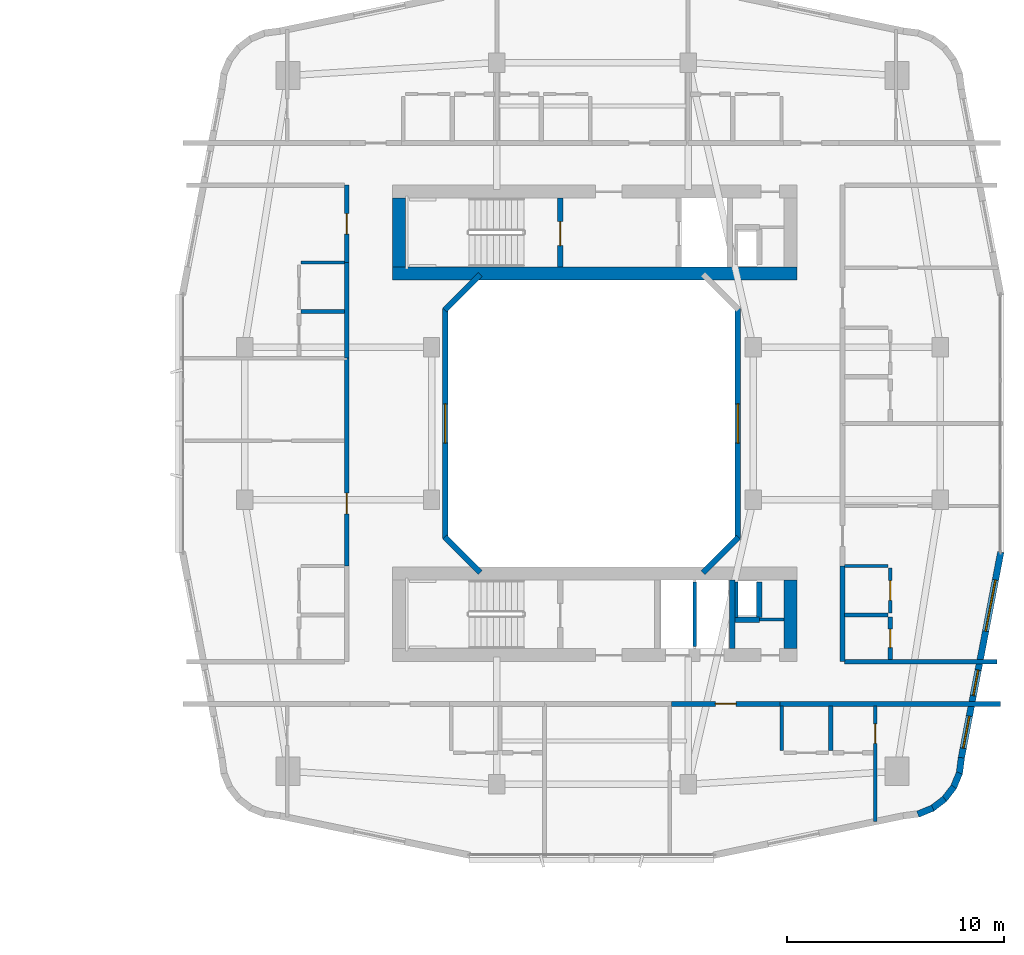
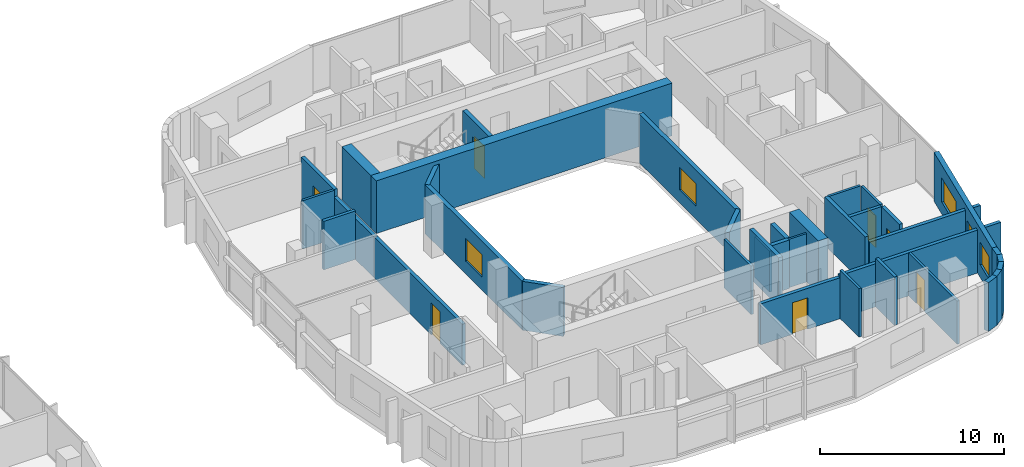
# One storey, part 19 of 27: 37 walls, 7 doors, 5 windows, 12 openings.
"""IFC4 building model written with IfcOpenShell, lengths in metres."""

from ifc_helpers import new_model, si_unit, derived_unit, direction, frame, frame_2d, origin, place, context, subcontext, project, spatial, rectangle, extrude, material, layer, layer_set, type_object, element, fill, save


model = new_model("IFC4")

# Units and contexts
model_context = context("Model", 3, precision=1e-05, world=origin(), true_north=direction((0.0, 1.0)))
body_context = subcontext(model_context, "Body", "Model", "MODEL_VIEW")
ifc_project = project(units=[si_unit("LENGTHUNIT", "METRE"), si_unit("AREAUNIT", "SQUARE_METRE"), si_unit("VOLUMEUNIT", "CUBIC_METRE"), si_unit("PLANEANGLEUNIT", "RADIAN"), si_unit("MASSUNIT", "GRAM", prefix="KILO"), derived_unit("THERMALTRANSMITTANCEUNIT", [(si_unit("POWERUNIT", "WATT"), 1), (si_unit("LENGTHUNIT", "METRE"), -2), (si_unit("THERMODYNAMICTEMPERATUREUNIT", "KELVIN"), -1)])], contexts=[model_context])

# Site, building, storey
site_placement = place(None, origin())
site = spatial("IfcSite", under=ifc_project, at=site_placement, CompositionType="ELEMENT")
building_placement = place(site_placement, origin())
building = spatial("IfcBuilding", under=site, at=building_placement, Name="Kivonza Crest Hotel", CompositionType="ELEMENT")
storey_placement = place(building_placement, frame((0.0, 0.0, 31.0)))
storey = spatial("IfcBuildingStorey", under=building, at=storey_placement, Name="L07", CompositionType="ELEMENT", Elevation=31.0)

# Wall
ifc_material_1 = material(Name="Autoclaved aerated concrete blockwork", Category="masonry")
ifc_layer_1 = layer(ifc_material_1, 0.219970703125)
ifc_layer_set_1 = layer_set([ifc_layer_1], Name="Autoclaved aerated concrete blockwork")
wall_type_1 = type_object("IfcWallType", Name="WL-ACOU-220", PredefinedType="SOLIDWALL", material=ifc_layer_set_1)
wall_1_placement = place(storey_placement, frame((85.6298828125, 12.10009765625, 0.0), z_axis=(0.0, 0.0, 1.0), x_axis=(1.0, 0.0, 0.0)))
element("IfcWall", 1, at=wall_1_placement, inside=storey, type_object=wall_type_1, Name="L07 interior partition WA-L07-A05-RCORR", PredefinedType="SOLIDWALL", context=body_context, shape_type="SweptSolid", body=[
    extrude(rectangle(XDim=10.130126953125, YDim=0.219970703125, at=frame_2d((5.06494140625, 0.0))), origin(), (0.0, 0.0, 1.0), 2.864990234375),
])

# Wall, opening, door
wall_2_placement = place(storey_placement, frame((80.6298828125, 12.10009765625, 0.0), z_axis=(0.0, 0.0, 1.0), x_axis=(1.0, 0.0, 0.0)))
wall_2 = element("IfcWall", 2, at=wall_2_placement, inside=storey, type_object=wall_type_1, Name="L07 interior partition WA-L07-A05-MCORR", PredefinedType="SOLIDWALL", context=body_context, shape_type="SweptSolid", body=[
    extrude(rectangle(XDim=5.0, YDim=0.219970703125, at=frame_2d((2.5, 0.0))), origin(), (0.0, 0.0, 1.0), 2.72509765625),
])
opening_1_placement = place(wall_2_placement, frame((2.02490234375, 0.0, 0.0)))
opening_1 = element("IfcOpeningElement", 3, at=opening_1_placement, cuts=wall_2, Name="Opening DU-60", PredefinedType="OPENING", context=body_context, shape_type="SweptSolid", body=[
    extrude(rectangle(XDim=0.949951171875, YDim=2.10009765625, at=frame_2d((0.47509765625, 1.050048828125))), frame((0.0, 0.1201171875, 0.0), z_axis=(0.0, -1.0, 0.0), x_axis=(1.0, 0.0, 0.0)), (0.0, 0.0, 1.0), 0.239990234375),
])
ifc_material_2 = material(Name="Hardwood timber oak", Category="wood")
door_type_1 = type_object("IfcDoorType", Name="DR-UNIT-950", OperationType="NOTDEFINED", PredefinedType="DOOR", material=ifc_material_2)
door_1_placement = place(opening_1_placement, frame((0.949951171875, 0.0, 0.0), z_axis=(0.0, 0.0, 1.0), x_axis=(-1.0, 0.0, 0.0)))
door_1 = element("IfcDoor", 4, at=door_1_placement, inside=storey, type_object=door_type_1, Name="L07 A05 apartment entrance fire door", OperationType="SINGLE_SWING_LEFT", OverallHeight=2.10009765625, OverallWidth=0.949951171875, PredefinedType="DOOR", context=body_context, shape_type="SweptSolid", body=[
    extrude(rectangle(XDim=0.949951171875, YDim=2.10009765625, at=frame_2d((0.47509765625, 1.050048828125))), frame((0.0, 0.02490234375, 0.0), z_axis=(0.0, -1.0, 0.0), x_axis=(1.0, 0.0, 0.0)), (0.0, 0.0, 1.0), 0.050048828125),
])
fill(opening_1, door_1)

wall_3_placement = place(storey_placement, frame((65.699951171875, 18.43994140625, 0.0), z_axis=(0.0, 0.0, 1.0), x_axis=(0.0, 1.0, 0.0)))
wall_3 = element("IfcWall", 5, at=wall_3_placement, inside=storey, type_object=wall_type_1, Name="L07 interior partition WA-L07-A06-MCORR", PredefinedType="SOLIDWALL", context=body_context, shape_type="SweptSolid", body=[
    extrude(rectangle(XDim=9.56005859375, YDim=0.219970703125, at=frame_2d((4.780029296875, 0.0))), origin(), (0.0, 0.0, 1.0), 2.72509765625),
])
opening_2_placement = place(wall_3_placement, frame((2.405029296875, 0.0, 0.0)))
opening_2 = element("IfcOpeningElement", 6, at=opening_2_placement, cuts=wall_3, Name="Opening DU-60", PredefinedType="OPENING", context=body_context, shape_type="SweptSolid", body=[
    extrude(rectangle(XDim=0.949951171875, YDim=2.10009765625, at=frame_2d((0.47509765625, 1.050048828125))), frame((0.0, 0.1201171875, 0.0), z_axis=(0.0, -1.0, 0.0), x_axis=(1.0, 0.0, 0.0)), (0.0, 0.0, 1.0), 0.239990234375),
])
door_2_placement = place(opening_2_placement, origin())
door_2 = element("IfcDoor", 7, at=door_2_placement, inside=storey, type_object=door_type_1, Name="L07 A06 apartment entrance fire door", OperationType="SINGLE_SWING_RIGHT", OverallHeight=2.10009765625, OverallWidth=0.949951171875, PredefinedType="DOOR", context=body_context, shape_type="SweptSolid", body=[
    extrude(rectangle(XDim=0.949951171875, YDim=2.10009765625, at=frame_2d((0.47509765625, 1.050048828125))), frame((0.0, 0.02490234375, 0.0), z_axis=(0.0, -1.0, 0.0), x_axis=(1.0, 0.0, 0.0)), (0.0, 0.0, 1.0), 0.050048828125),
])
fill(opening_2, door_2)

# Wall
wall_4_placement = place(storey_placement, frame((65.699951171875, 28.0, 0.0), z_axis=(0.0, 0.0, 1.0), x_axis=(0.0, 1.0, 0.0)))
element("IfcWall", 8, at=wall_4_placement, inside=storey, type_object=wall_type_1, Name="L07 interior partition WA-L07-A07-BCORR", PredefinedType="SOLIDWALL", context=body_context, shape_type="SweptSolid", body=[
    extrude(rectangle(XDim=4.39990234375, YDim=0.219970703125, at=frame_2d((2.199951171875, 0.0))), origin(), (0.0, 0.0, 1.0), 2.72509765625),
])

# Wall, opening, door
wall_5_placement = place(storey_placement, frame((65.699951171875, 32.39990234375, 0.0), z_axis=(0.0, 0.0, 1.0), x_axis=(0.0, 1.0, 0.0)))
wall_5 = element("IfcWall", 9, at=wall_5_placement, inside=storey, type_object=wall_type_1, Name="L07 interior partition WA-L07-A07-MCORR", PredefinedType="SOLIDWALL", context=body_context, shape_type="SweptSolid", body=[
    extrude(rectangle(XDim=3.56005859375, YDim=0.219970703125, at=frame_2d((1.780029296875, 0.0))), origin(), (0.0, 0.0, 1.0), 3.219970703125),
])
opening_3_placement = place(wall_5_placement, frame((1.304931640625, 0.0, 0.0)))
opening_3 = element("IfcOpeningElement", 10, at=opening_3_placement, cuts=wall_5, Name="Opening DU-60", PredefinedType="OPENING", context=body_context, shape_type="SweptSolid", body=[
    extrude(rectangle(XDim=0.949951171875, YDim=2.10009765625, at=frame_2d((0.47509765625, 1.050048828125))), frame((0.0, 0.1201171875, 0.0), z_axis=(0.0, -1.0, 0.0), x_axis=(1.0, 0.0, 0.0)), (0.0, 0.0, 1.0), 0.239990234375),
])
door_3_placement = place(opening_3_placement, origin())
door_3 = element("IfcDoor", 11, at=door_3_placement, inside=storey, type_object=door_type_1, Name="L07 A07 apartment entrance fire door", OperationType="SINGLE_SWING_LEFT", OverallHeight=2.10009765625, OverallWidth=0.949951171875, PredefinedType="DOOR", context=body_context, shape_type="SweptSolid", body=[
    extrude(rectangle(XDim=0.949951171875, YDim=2.10009765625, at=frame_2d((0.47509765625, 1.050048828125))), frame((0.0, 0.02490234375, 0.0), z_axis=(0.0, -1.0, 0.0), x_axis=(1.0, 0.0, 0.0)), (0.0, 0.0, 1.0), 0.050048828125),
])
fill(opening_3, door_3)

# Walls
wall_6_placement = place(storey_placement, frame((88.60009765625, 14.0400390625, 0.0), z_axis=(0.0, 0.0, 1.0), x_axis=(1.0, 0.0, 0.0)))
element("IfcWall", 12, at=wall_6_placement, inside=storey, type_object=wall_type_1, Name="L07 interior partition WA-L07-T2E-ENDS", PredefinedType="SOLIDWALL", context=body_context, shape_type="SweptSolid", body=[
    extrude(rectangle(XDim=7.0, YDim=0.219970703125, at=frame_2d((3.5, 0.0))), origin(), (0.0, 0.0, 1.0), 2.864990234375),
])
wall_7_placement = place(storey_placement, frame((88.5, 14.0400390625, 0.0), z_axis=(0.0, 0.0, 1.0), x_axis=(0.0, 1.0, 0.0)))
element("IfcWall", 13, at=wall_7_placement, inside=storey, type_object=wall_type_1, Name="L07 interior partition WA-L07-A08-BCORR", PredefinedType="SOLIDWALL", context=body_context, shape_type="SweptSolid", body=[
    extrude(rectangle(XDim=4.39990234375, YDim=0.219970703125, at=frame_2d((2.199951171875, 0.0))), origin(), (0.0, 0.0, 1.0), 3.219970703125),
])
ifc_material_3 = material(Name="Concrete C60/75", Category="concrete")
ifc_layer_2 = layer(ifc_material_3, 0.60009765625)
ifc_layer_set_2 = layer_set([ifc_layer_2], Name="Concrete C60/75")
wall_type_2 = type_object("IfcWallType", Name="WL-CORE-600", PredefinedType="SHEAR", material=ifc_layer_set_2)
wall_8_placement = place(storey_placement, frame((67.800048828125, 31.89990234375, 0.0), z_axis=(0.0, 0.0, 1.0), x_axis=(1.0, 0.0, 0.0)))
element("IfcWall", 14, at=wall_8_placement, inside=storey, type_object=wall_type_2, Name="Core wall T2-N South L07", PredefinedType="SHEAR", context=body_context, shape_type="SweptSolid", body=[
    extrude(rectangle(XDim=18.599853515625, YDim=0.60009765625, at=frame_2d((9.2998046875, 0.0))), origin(), (0.0, 0.0, 1.0), 3.5),
])
for number, where, z_axis, x_axis, name in (
    (15, (68.10009765625, 32.199951171875, 0.0), (0.0, 0.0, 1.0), (0.0, 1.0, 0.0), "Core wall T2-N West L07"),
    (16, (86.10009765625, 14.639892578125, 0.0), (0.0, 0.0, 1.0), (0.0, 1.0, 0.0), "Core wall T2-S East L07"),
):
    element("IfcWall", number, at=place(storey_placement, frame(where, z_axis=z_axis, x_axis=x_axis)), inside=storey, type_object=wall_type_2, Name=name, PredefinedType="SHEAR", context=body_context, shape_type="SweptSolid", body=[
        extrude(rectangle(XDim=3.16015625, YDim=0.60009765625, at=frame_2d((1.580078125, 0.0))), origin(), (0.0, 0.0, 1.0), 3.5),
    ])
ifc_material_4 = material(Name="Precast concrete C40/50", Category="concrete")
ifc_layer_3 = layer(ifc_material_4, 0.260009765625)
ifc_layer_set_3 = layer_set([ifc_layer_3], Name="Precast concrete C40/50")
wall_type_3 = type_object("IfcWallType", Name="WL-EXT-260", PredefinedType="STANDARD", material=ifc_layer_set_3)
wall_9_placement = place(storey_placement, frame((82.08203125, 18.137939453125, 0.0), z_axis=(0.0, 0.0, 1.0), x_axis=(0.707106781187, 0.707106781187, 0.0)))
element("IfcWall", 17, at=wall_9_placement, inside=storey, type_object=wall_type_3, Name="L07 T2 light-well exterior wall 2", PredefinedType="STANDARD", context=body_context, shape_type="SweptSolid", body=[
    extrude(rectangle(XDim=2.310791015625, YDim=0.260009765625, at=frame_2d((1.1552734375, 0.0))), origin(), (0.0, 0.0, 1.0), 3.25),
])

# Wall, opening, window
wall_10_placement = place(storey_placement, frame((83.68994140625, 19.7099609375, 0.0), z_axis=(0.0, 0.0, 1.0), x_axis=(0.0, 1.0, 0.0)))
wall_10 = element("IfcWall", 18, at=wall_10_placement, inside=storey, type_object=wall_type_3, Name="L07 T2 light-well exterior wall 3", PredefinedType="STANDARD", context=body_context, shape_type="SweptSolid", body=[
    extrude(rectangle(XDim=10.580078125, YDim=0.260009765625, at=frame_2d((5.2900390625, 0.0))), origin(), (0.0, 0.0, 1.0), 3.25),
])
opening_4_placement = place(wall_10_placement, frame((4.389892578125, 0.0, 0.85009765625)))
opening_4 = element("IfcOpeningElement", 19, at=opening_4_placement, cuts=wall_10, Name="Opening WN-03", PredefinedType="OPENING", context=body_context, shape_type="SweptSolid", body=[
    extrude(rectangle(XDim=1.800048828125, YDim=1.5, at=frame_2d((0.89990234375, 0.75))), frame((0.0, 0.14013671875, 0.0), z_axis=(0.0, -1.0, 0.0), x_axis=(1.0, 0.0, 0.0)), (0.0, 0.0, 1.0), 0.280029296875),
])
ifc_material_5 = material(Name="Thermally broken bronze aluminium and low-E double glazing", Category="aluminium")
window_type_1 = type_object("IfcWindowType", Name="WN-180x150", PartitioningType="DOUBLE_PANEL_VERTICAL", PredefinedType="WINDOW", material=ifc_material_5)
window_1_placement = place(opening_4_placement, origin())
window_1 = element("IfcWindow", 20, at=window_1_placement, inside=storey, type_object=window_type_1, Name="L07 T2 light-well window 3", OverallHeight=1.5, OverallWidth=1.800048828125, PartitioningType="SINGLE_PANEL", PredefinedType="WINDOW", context=body_context, shape_type="SweptSolid", body=[
    extrude(rectangle(XDim=1.800048828125, YDim=1.5, at=frame_2d((0.89990234375, 0.75))), frame((0.0, 0.030029296875, 0.0), z_axis=(0.0, -1.0, 0.0), x_axis=(1.0, 0.0, 0.0)), (0.0, 0.0, 1.0), 0.06005859375),
])
fill(opening_4, window_1)

# Wall
wall_11_placement = place(storey_placement, frame((71.837890625, 31.862060546875, 0.0), z_axis=(0.0, 0.0, 1.0), x_axis=(-0.707053950914, -0.707159607512, 0.0)))
element("IfcWall", 21, at=wall_11_placement, inside=storey, type_object=wall_type_3, Name="L07 T2 light-well exterior wall 6", PredefinedType="STANDARD", context=body_context, shape_type="SweptSolid", body=[
    extrude(rectangle(XDim=2.310791015625, YDim=0.260009765625, at=frame_2d((1.1552734375, 0.0))), origin(), (0.0, 0.0, 1.0), 3.25),
])

# Wall, opening, window
wall_12_placement = place(storey_placement, frame((70.22998046875, 30.2900390625, 0.0), z_axis=(0.0, 0.0, 1.0), x_axis=(0.0, -1.0, 0.0)))
wall_12 = element("IfcWall", 22, at=wall_12_placement, inside=storey, type_object=wall_type_3, Name="L07 T2 light-well exterior wall 7", PredefinedType="STANDARD", context=body_context, shape_type="SweptSolid", body=[
    extrude(rectangle(XDim=10.580078125, YDim=0.260009765625, at=frame_2d((5.2900390625, 0.0))), origin(), (0.0, 0.0, 1.0), 3.25),
])
opening_5_placement = place(wall_12_placement, frame((4.389892578125, 0.0, 0.85009765625)))
opening_5 = element("IfcOpeningElement", 23, at=opening_5_placement, cuts=wall_12, Name="Opening WN-03", PredefinedType="OPENING", context=body_context, shape_type="SweptSolid", body=[
    extrude(rectangle(XDim=1.800048828125, YDim=1.5, at=frame_2d((0.89990234375, 0.75))), frame((0.0, 0.14013671875, 0.0), z_axis=(0.0, -1.0, 0.0), x_axis=(1.0, 0.0, 0.0)), (0.0, 0.0, 1.0), 0.280029296875),
])
window_2_placement = place(opening_5_placement, origin())
window_2 = element("IfcWindow", 24, at=window_2_placement, inside=storey, type_object=window_type_1, Name="L07 T2 light-well window 7", OverallHeight=1.5, OverallWidth=1.800048828125, PartitioningType="SINGLE_PANEL", PredefinedType="WINDOW", context=body_context, shape_type="SweptSolid", body=[
    extrude(rectangle(XDim=1.800048828125, YDim=1.5, at=frame_2d((0.89990234375, 0.75))), frame((0.0, 0.030029296875, 0.0), z_axis=(0.0, -1.0, 0.0), x_axis=(1.0, 0.0, 0.0)), (0.0, 0.0, 1.0), 0.06005859375),
])
fill(opening_5, window_2)

# Walls
wall_13_placement = place(storey_placement, frame((70.2041015625, 19.77197265625, 0.0), z_axis=(0.0, 0.0, 1.0), x_axis=(0.707053950914, -0.707159607512, 0.0)))
element("IfcWall", 25, at=wall_13_placement, inside=storey, type_object=wall_type_3, Name="L07 T2 light-well exterior wall 8", PredefinedType="STANDARD", context=body_context, shape_type="SweptSolid", body=[
    extrude(rectangle(XDim=2.310791015625, YDim=0.260009765625, at=frame_2d((1.1552734375, 0.0))), origin(), (0.0, 0.0, 1.0), 3.25),
])
ifc_layer_4 = layer(ifc_material_4, 0.300048828125)
ifc_layer_set_4 = layer_set([ifc_layer_4], Name="Precast concrete C40/50")
wall_type_4 = type_object("IfcWallType", Name="WL-EXT-300", PredefinedType="STANDARD", material=ifc_layer_set_4)
for number, where, z_axis, x_axis, name in (
    (26, (91.965087890625, 7.02392578125, 0.0), (0.0, 0.0, 1.0), (0.923521684703, 0.383546213491, 0.0), "L07 T2 exterior insulated wall 11"),
    (27, (92.60888671875, 7.279052734375, 0.0), (0.0, 0.0, 1.0), (0.79363269798, 0.608397189915, 0.0), "L07 T2 exterior insulated wall 12"),
    (28, (93.166015625, 7.69091796875, 0.0), (0.0, 0.0, 1.0), (0.608603261071, 0.793474681772, 0.0), "L07 T2 exterior insulated wall 13"),
):
    element("IfcWall", number, at=place(storey_placement, frame(where, z_axis=z_axis, x_axis=x_axis)), inside=storey, type_object=wall_type_4, Name=name, PredefinedType="STANDARD", context=body_context, shape_type="SweptSolid", body=[
        extrude(rectangle(XDim=0.74609375, YDim=0.300048828125, at=frame_2d((0.373046875, 0.0))), origin(), (0.0, 0.0, 1.0), 3.25),
    ])
wall_14_placement = place(storey_placement, frame((93.595947265625, 8.23388671875, 0.0), z_axis=(0.0, 0.0, 1.0), x_axis=(0.383430326427, 0.923569805037, 0.0)))
element("IfcWall", 29, at=wall_14_placement, inside=storey, type_object=wall_type_4, Name="L07 T2 exterior insulated wall 14", PredefinedType="STANDARD", context=body_context, shape_type="SweptSolid", body=[
    extrude(rectangle(XDim=0.746337890625, YDim=0.300048828125, at=frame_2d((0.373046875, 0.0))), origin(), (0.0, 0.0, 1.0), 3.25),
])
wall_15_placement = place(storey_placement, frame((93.873046875, 8.868896484375, 0.0), z_axis=(0.0, 0.0, 1.0), x_axis=(0.129339184068, 0.991600411186, 0.0)))
element("IfcWall", 30, at=wall_15_placement, inside=storey, type_object=wall_type_4, Name="L07 T2 exterior insulated wall 15", PredefinedType="STANDARD", context=body_context, shape_type="SweptSolid", body=[
    extrude(rectangle(XDim=0.764404296875, YDim=0.300048828125, at=frame_2d((0.38232421875, 0.0))), origin(), (0.0, 0.0, 1.0), 3.25),
])

# Wall, openings, windows
wall_16_placement = place(storey_placement, frame((93.970947265625, 9.6201171875, 0.0), z_axis=(0.0, 0.0, 1.0), x_axis=(0.188087874316, 0.982152203854, 0.0)))
wall_16 = element("IfcWall", 31, at=wall_16_placement, inside=storey, type_object=wall_type_4, Name="L07 T2 exterior insulated wall 16", PredefinedType="STANDARD", context=body_context, shape_type="SweptSolid", body=[
    extrude(rectangle(XDim=9.6337890625, YDim=0.300048828125, at=frame_2d((4.81689453125, 0.0))), origin(), (0.0, 0.0, 1.0), 3.25),
])
opening_6_placement = place(wall_16_placement, frame((0.451904296875, 0.0, 0.85009765625)))
opening_6 = element("IfcOpeningElement", 32, at=opening_6_placement, cuts=wall_16, Name="Opening WN-02", PredefinedType="OPENING", context=body_context, shape_type="SweptSolid", body=[
    extrude(rectangle(XDim=1.5, YDim=1.5, at=frame_2d((0.75, 0.75))), frame((0.0, 0.16015625, 0.0), z_axis=(0.0, -1.0, 0.0), x_axis=(1.0, 0.0, 0.0)), (0.0, 0.0, 1.0), 0.320068359375),
])
opening_7_placement = place(wall_16_placement, frame((2.9130859375, 0.0, 0.85009765625)))
opening_7 = element("IfcOpeningElement", 33, at=opening_7_placement, cuts=wall_16, Name="Opening WN-01", PredefinedType="OPENING", context=body_context, shape_type="SweptSolid", body=[
    extrude(rectangle(XDim=1.199951171875, YDim=1.5, at=frame_2d((0.60009765625, 0.75))), frame((0.0, 0.16015625, 0.0), z_axis=(0.0, -1.0, 0.0), x_axis=(1.0, 0.0, 0.0)), (0.0, 0.0, 1.0), 0.320068359375),
])
opening_8_placement = place(wall_16_placement, frame((5.927978515625, 0.0, 0.800048828125)))
opening_8 = element("IfcOpeningElement", 34, at=opening_8_placement, cuts=wall_16, Name="Opening WN-05", PredefinedType="OPENING", context=body_context, shape_type="SweptSolid", body=[
    extrude(rectangle(XDim=2.39990234375, YDim=1.60009765625, at=frame_2d((1.199951171875, 0.800048828125))), frame((0.0, 0.16015625, 0.0), z_axis=(0.0, -1.0, 0.0), x_axis=(1.0, 0.0, 0.0)), (0.0, 0.0, 1.0), 0.320068359375),
])
window_type_2 = type_object("IfcWindowType", Name="WN-120x150", PartitioningType="SINGLE_PANEL", PredefinedType="WINDOW", material=ifc_material_5)
window_3_placement = place(opening_7_placement, origin())
window_3 = element("IfcWindow", 35, at=window_3_placement, inside=storey, type_object=window_type_2, Name="L07 T2 facade window 16 bay 2", OverallHeight=1.5, OverallWidth=1.199951171875, PartitioningType="SINGLE_PANEL", PredefinedType="WINDOW", context=body_context, shape_type="SweptSolid", body=[
    extrude(rectangle(XDim=1.199951171875, YDim=1.5, at=frame_2d((0.60009765625, 0.75))), frame((0.0, 0.030029296875, 0.0), z_axis=(0.0, -1.0, 0.0), x_axis=(1.0, 0.0, 0.0)), (0.0, 0.0, 1.0), 0.06005859375),
])
fill(opening_7, window_3)
window_type_3 = type_object("IfcWindowType", Name="WN-150x150", PartitioningType="DOUBLE_PANEL_VERTICAL", PredefinedType="WINDOW", material=ifc_material_5)
window_4_placement = place(opening_6_placement, origin())
window_4 = element("IfcWindow", 36, at=window_4_placement, inside=storey, type_object=window_type_3, Name="L07 T2 facade window 16 bay 1", OverallHeight=1.5, OverallWidth=1.5, PartitioningType="SINGLE_PANEL", PredefinedType="WINDOW", context=body_context, shape_type="SweptSolid", body=[
    extrude(rectangle(XDim=1.5, YDim=1.5, at=frame_2d((0.75, 0.75))), frame((0.0, 0.030029296875, 0.0), z_axis=(0.0, -1.0, 0.0), x_axis=(1.0, 0.0, 0.0)), (0.0, 0.0, 1.0), 0.06005859375),
])
fill(opening_6, window_4)
window_type_4 = type_object("IfcWindowType", Name="WN-240x160", PartitioningType="TRIPLE_PANEL_VERTICAL", PredefinedType="WINDOW", material=ifc_material_5)
window_5_placement = place(opening_8_placement, origin())
window_5 = element("IfcWindow", 37, at=window_5_placement, inside=storey, type_object=window_type_4, Name="L07 T2 facade window 16 bay 3", OverallHeight=1.60009765625, OverallWidth=2.39990234375, PartitioningType="SINGLE_PANEL", PredefinedType="WINDOW", context=body_context, shape_type="SweptSolid", body=[
    extrude(rectangle(XDim=2.39990234375, YDim=1.60009765625, at=frame_2d((1.199951171875, 0.800048828125))), frame((0.0, 0.030029296875, 0.0), z_axis=(0.0, -1.0, 0.0), x_axis=(1.0, 0.0, 0.0)), (0.0, 0.0, 1.0), 0.06005859375),
])
fill(opening_8, window_5)

# Walls
ifc_material_6 = material(Name="Concrete blockwork fire-compartment wall", Category="masonry")
ifc_layer_5 = layer(ifc_material_6, 0.25)
ifc_layer_set_5 = layer_set([ifc_layer_5], Name="Concrete blockwork fire-compartment wall")
wall_type_5 = type_object("IfcWallType", Name="WL-FIRE-250", PredefinedType="SOLIDWALL", material=ifc_layer_set_5)
wall_17_placement = place(storey_placement, frame((84.679931640625, 16.080078125, 0.0), z_axis=(0.0, 0.0, 1.0), x_axis=(0.0, 1.0, 0.0)))
element("IfcWall", 38, at=wall_17_placement, inside=storey, type_object=wall_type_5, Name="L07 interior partition WA-L07-T2-S-MEPR-E", PredefinedType="SOLIDWALL", context=body_context, shape_type="SweptSolid", body=[
    extrude(rectangle(XDim=1.619873046875, YDim=0.25, at=frame_2d((0.81005859375, 0.0))), origin(), (0.0, 0.0, 1.0), 3.219970703125),
])
wall_18_placement = place(storey_placement, frame((83.550048828125, 15.97998046875, 0.0), z_axis=(0.0, 0.0, 1.0), x_axis=(1.0, 0.0, 0.0)))
element("IfcWall", 39, at=wall_18_placement, inside=storey, type_object=wall_type_5, Name="L07 interior partition WA-L07-T2-S-MEPR-H", PredefinedType="SOLIDWALL", context=body_context, shape_type="SweptSolid", body=[
    extrude(rectangle(XDim=1.1298828125, YDim=0.25, at=frame_2d((0.56494140625, 0.0))), origin(), (0.0, 0.0, 1.0), 3.219970703125),
])
ifc_material_7 = material(Name="Metal-stud gypsum board partition", Category="gypsum")
ifc_layer_6 = layer(ifc_material_7, 0.125)
ifc_layer_set_6 = layer_set([ifc_layer_6], Name="Metal-stud gypsum board partition")
wall_type_6 = type_object("IfcWallType", Name="WL-PART-125", PredefinedType="PARTITIONING", material=ifc_layer_set_6)
wall_19_placement = place(storey_placement, frame((84.679931640625, 15.97998046875, 0.0), z_axis=(0.0, 0.0, 1.0), x_axis=(1.0, 0.0, 0.0)))
element("IfcWall", 40, at=wall_19_placement, inside=storey, type_object=wall_type_6, Name="L07 interior partition WP-L07-T2-S-T2H", PredefinedType="PARTITIONING", context=body_context, shape_type="SweptSolid", body=[
    extrude(rectangle(XDim=1.1201171875, YDim=0.125, at=frame_2d((0.56005859375, 0.0))), origin(), (0.0, 0.0, 1.0), 3.219970703125),
])
ifc_material_8 = material(Name="Twin-stud acoustic gypsum board partition", Category="gypsum")
ifc_layer_7 = layer(ifc_material_8, 0.14990234375)
ifc_layer_set_7 = layer_set([ifc_layer_7], Name="Twin-stud acoustic gypsum board partition")
wall_type_7 = type_object("IfcWallType", Name="WL-PART-150", PredefinedType="PARTITIONING", material=ifc_layer_set_7)
wall_20_placement = place(storey_placement, frame((83.6298828125, 16.080078125, 0.0), z_axis=(0.0, 0.0, 1.0), x_axis=(0.0, 1.0, 0.0)))
element("IfcWall", 41, at=wall_20_placement, inside=storey, type_object=wall_type_7, Name="L07 interior partition WA-L07-T2-S-MEPR-W", PredefinedType="PARTITIONING", context=body_context, shape_type="SweptSolid", body=[
    extrude(rectangle(XDim=1.619873046875, YDim=0.14990234375, at=frame_2d((0.81005859375, 0.0))), origin(), (0.0, 0.0, 1.0), 2.72509765625),
])
wall_21_placement = place(storey_placement, frame((81.699951171875, 14.739990234375, 0.0), z_axis=(0.0, 0.0, 1.0), x_axis=(0.0, 1.0, 0.0)))
element("IfcWall", 42, at=wall_21_placement, inside=storey, type_object=wall_type_7, Name="L07 interior partition WP-L07-T2-S-BSH-1", PredefinedType="PARTITIONING", context=body_context, shape_type="SweptSolid", body=[
    extrude(rectangle(XDim=2.9599609375, YDim=0.14990234375, at=frame_2d((1.47998046875, 0.0))), origin(), (0.0, 0.0, 1.0), 3.219970703125),
])

# Wall, opening, door
wall_22_placement = place(storey_placement, frame((90.010009765625, 6.68896484375, 0.0), z_axis=(0.0, 0.0, 1.0), x_axis=(0.0, 1.0, 0.0)))
wall_22 = element("IfcWall", 43, at=wall_22_placement, inside=storey, type_object=wall_type_7, Name="L07 interior partition WP-L07-A05-BDW2", PredefinedType="PARTITIONING", context=body_context, shape_type="SweptSolid", body=[
    extrude(rectangle(XDim=5.31103515625, YDim=0.14990234375, at=frame_2d((2.655517578125, 0.0))), origin(), (0.0, 0.0, 1.0), 2.864990234375),
])
opening_9_placement = place(wall_22_placement, frame((3.590087890625, 0.0, 0.0)))
opening_9 = element("IfcOpeningElement", 44, at=opening_9_placement, cuts=wall_22, Name="Opening DI-90", PredefinedType="OPENING", context=body_context, shape_type="SweptSolid", body=[
    extrude(rectangle(XDim=0.89990234375, YDim=2.10009765625, at=frame_2d((0.449951171875, 1.050048828125))), frame((0.0, 0.0849609375, 0.0), z_axis=(0.0, -1.0, 0.0), x_axis=(1.0, 0.0, 0.0)), (0.0, 0.0, 1.0), 0.169921875),
])
door_type_2 = type_object("IfcDoorType", Name="DR-INT-900", OperationType="NOTDEFINED", PredefinedType="DOOR", material=ifc_material_2)
door_4_placement = place(opening_9_placement, origin())
door_4 = element("IfcDoor", 45, at=door_4_placement, inside=storey, type_object=door_type_2, Name="L07 A05 bedroom 2 door", OperationType="SINGLE_SWING_LEFT", OverallHeight=2.10009765625, OverallWidth=0.89990234375, PredefinedType="DOOR", context=body_context, shape_type="SweptSolid", body=[
    extrude(rectangle(XDim=0.89990234375, YDim=2.10009765625, at=frame_2d((0.449951171875, 1.050048828125))), frame((0.0, 0.02490234375, 0.0), z_axis=(0.0, -1.0, 0.0), x_axis=(1.0, 0.0, 0.0)), (0.0, 0.0, 1.0), 0.050048828125),
])
fill(opening_9, door_4)

# Walls
wall_23_placement = place(storey_placement, frame((85.7099609375, 9.949951171875, 0.0), z_axis=(0.0, 0.0, 1.0), x_axis=(0.0, 1.0, 0.0)))
element("IfcWall", 46, at=wall_23_placement, inside=storey, type_object=wall_type_7, Name="L07 interior partition WP-L07-A05-KF", PredefinedType="PARTITIONING", context=body_context, shape_type="SweptSolid", body=[
    extrude(rectangle(XDim=2.050048828125, YDim=0.14990234375, at=frame_2d((1.02490234375, 0.0))), origin(), (0.0, 0.0, 1.0), 3.219970703125),
])
for number, where, z_axis, x_axis, name in (
    (47, (63.60009765625, 32.39990234375, 0.0), (0.0, 0.0, 1.0), (1.0, 0.0, 0.0), "L07 interior partition WP-L07-A07-KF"),
    (48, (88.60009765625, 18.43994140625, 0.0), (0.0, 0.0, 1.0), (1.0, 0.0, 0.0), "L07 interior partition WP-L07-A08-KF"),
):
    element("IfcWall", number, at=place(storey_placement, frame(where, z_axis=z_axis, x_axis=x_axis)), inside=storey, type_object=wall_type_7, Name=name, PredefinedType="PARTITIONING", context=body_context, shape_type="SweptSolid", body=[
        extrude(rectangle(XDim=2.0, YDim=0.14990234375, at=frame_2d((1.0, 0.0))), origin(), (0.0, 0.0, 1.0), 3.219970703125),
    ])

# Wall, opening, door
wall_24_placement = place(storey_placement, frame((90.699951171875, 16.2900390625, 0.0), z_axis=(0.0, 0.0, 1.0), x_axis=(0.0, 1.0, 0.0)))
wall_24 = element("IfcWall", 49, at=wall_24_placement, inside=storey, type_object=wall_type_7, Name="L07 interior partition WP-L07-A08-KSVC", PredefinedType="PARTITIONING", context=body_context, shape_type="SweptSolid", body=[
    extrude(rectangle(XDim=2.050048828125, YDim=0.14990234375, at=frame_2d((1.02490234375, 0.0))), origin(), (0.0, 0.0, 1.0), 3.219970703125),
])
opening_10_placement = place(wall_24_placement, frame((0.574951171875, 0.0, 0.0)))
opening_10 = element("IfcOpeningElement", 50, at=opening_10_placement, cuts=wall_24, Name="Opening DI-90", PredefinedType="OPENING", context=body_context, shape_type="SweptSolid", body=[
    extrude(rectangle(XDim=0.89990234375, YDim=2.10009765625, at=frame_2d((0.449951171875, 1.050048828125))), frame((0.0, 0.0849609375, 0.0), z_axis=(0.0, -1.0, 0.0), x_axis=(1.0, 0.0, 0.0)), (0.0, 0.0, 1.0), 0.169921875),
])
door_5_placement = place(opening_10_placement, frame((0.89990234375, 0.0, 0.0), z_axis=(0.0, 0.0, 1.0), x_axis=(-1.0, 0.0, 0.0)))
door_5 = element("IfcDoor", 51, at=door_5_placement, inside=storey, type_object=door_type_2, Name="L07 A08 apartment kitchen door", OperationType="SINGLE_SWING_RIGHT", OverallHeight=2.10009765625, OverallWidth=0.89990234375, PredefinedType="DOOR", context=body_context, shape_type="SweptSolid", body=[
    extrude(rectangle(XDim=0.89990234375, YDim=2.10009765625, at=frame_2d((0.449951171875, 1.050048828125))), frame((0.0, 0.02490234375, 0.0), z_axis=(0.0, -1.0, 0.0), x_axis=(1.0, 0.0, 0.0)), (0.0, 0.0, 1.0), 0.050048828125),
])
fill(opening_10, door_5)

# Walls
ifc_material_9 = material(Name="Moisture-resistant plumbing chase partition wall", Category="gypsum")
ifc_layer_8 = layer(ifc_material_9, 0.199951171875)
ifc_layer_set_8 = layer_set([ifc_layer_8], Name="Moisture-resistant plumbing chase partition wall")
wall_type_8 = type_object("IfcWallType", Name="WL-PLUMB-200", PredefinedType="PLUMBINGWALL", material=ifc_layer_set_8)
wall_25_placement = place(storey_placement, frame((87.9599609375, 9.949951171875, 0.0), z_axis=(0.0, 0.0, 1.0), x_axis=(0.0, 1.0, 0.0)))
element("IfcWall", 52, at=wall_25_placement, inside=storey, type_object=wall_type_8, Name="L07 interior partition WW-L07-A05-BK", PredefinedType="PLUMBINGWALL", context=body_context, shape_type="SweptSolid", body=[
    extrude(rectangle(XDim=2.050048828125, YDim=0.199951171875, at=frame_2d((1.02490234375, 0.0))), origin(), (0.0, 0.0, 1.0), 3.219970703125),
])
for number, where, z_axis, x_axis, name in (
    (53, (63.60009765625, 30.14990234375, 0.0), (0.0, 0.0, 1.0), (1.0, 0.0, 0.0), "L07 interior partition WW-L07-A07-BK"),
    (54, (88.60009765625, 16.18994140625, 0.0), (0.0, 0.0, 1.0), (1.0, 0.0, 0.0), "L07 interior partition WW-L07-A08-BK"),
):
    element("IfcWall", number, at=place(storey_placement, frame(where, z_axis=z_axis, x_axis=x_axis)), inside=storey, type_object=wall_type_8, Name=name, PredefinedType="PLUMBINGWALL", context=body_context, shape_type="SweptSolid", body=[
        extrude(rectangle(XDim=2.0, YDim=0.199951171875, at=frame_2d((1.0, 0.0))), origin(), (0.0, 0.0, 1.0), 3.219970703125),
    ])

# Wall, opening, door
wall_26_placement = place(storey_placement, frame((90.699951171875, 14.139892578125, 0.0), z_axis=(0.0, 0.0, 1.0), x_axis=(0.0, 1.0, 0.0)))
wall_26 = element("IfcWall", 55, at=wall_26_placement, inside=storey, type_object=wall_type_8, Name="L07 interior partition WW-L07-A08-BSVC", PredefinedType="PLUMBINGWALL", context=body_context, shape_type="SweptSolid", body=[
    extrude(rectangle(XDim=1.9501953125, YDim=0.199951171875, at=frame_2d((0.97509765625, 0.0))), origin(), (0.0, 0.0, 1.0), 3.219970703125),
])
opening_11_placement = place(wall_26_placement, frame((0.550048828125, 0.0, 0.0)))
opening_11 = element("IfcOpeningElement", 56, at=opening_11_placement, cuts=wall_26, Name="Opening DI-85", PredefinedType="OPENING", context=body_context, shape_type="SweptSolid", body=[
    extrude(rectangle(XDim=0.85009765625, YDim=2.10009765625, at=frame_2d((0.425048828125, 1.050048828125))), frame((0.0, 0.10986328125, 0.0), z_axis=(0.0, -1.0, 0.0), x_axis=(1.0, 0.0, 0.0)), (0.0, 0.0, 1.0), 0.219970703125),
])
door_type_3 = type_object("IfcDoorType", Name="DR-INT-850", OperationType="NOTDEFINED", PredefinedType="DOOR", material=ifc_material_2)
door_6_placement = place(opening_11_placement, frame((0.85009765625, 0.0, 0.0), z_axis=(0.0, 0.0, 1.0), x_axis=(-1.0, 0.0, 0.0)))
door_6 = element("IfcDoor", 57, at=door_6_placement, inside=storey, type_object=door_type_3, Name="L07 A08 apartment bathroom door", OperationType="SINGLE_SWING_LEFT", OverallHeight=2.10009765625, OverallWidth=0.85009765625, PredefinedType="DOOR", context=body_context, shape_type="SweptSolid", body=[
    extrude(rectangle(XDim=0.85009765625, YDim=2.10009765625, at=frame_2d((0.425048828125, 1.050048828125))), frame((0.0, 0.02490234375, 0.0), z_axis=(0.0, -1.0, 0.0), x_axis=(1.0, 0.0, 0.0)), (0.0, 0.0, 1.0), 0.050048828125),
])
fill(opening_11, door_6)

ifc_material_10 = material(Name="Concrete C50/60", Category="concrete")
ifc_layer_9 = layer(ifc_material_10, 0.25)
ifc_layer_set_9 = layer_set([ifc_layer_9], Name="Concrete C50/60")
wall_type_9 = type_object("IfcWallType", Name="WL-SHAFT-250", PredefinedType="STANDARD", material=ifc_layer_set_9)
wall_27_placement = place(storey_placement, frame((75.52490234375, 32.199951171875, 0.0), z_axis=(0.0, 0.0, 1.0), x_axis=(0.0, 1.0, 0.0)))
wall_27 = element("IfcWall", 58, at=wall_27_placement, inside=storey, type_object=wall_type_9, Name="Core shaft wall T2-N STAIR L07", PredefinedType="STANDARD", context=body_context, shape_type="SweptSolid", body=[
    extrude(rectangle(XDim=3.16015625, YDim=0.25, at=frame_2d((1.580078125, 0.0))), origin(), (0.0, 0.0, 1.0), 3.25),
])
opening_12_placement = place(wall_27_placement, frame((0.97998046875, 0.0, 0.0)))
opening_12 = element("IfcOpeningElement", 59, at=opening_12_placement, cuts=wall_27, Name="Opening DF-120", PredefinedType="OPENING", context=body_context, shape_type="SweptSolid", body=[
    extrude(rectangle(XDim=1.10009765625, YDim=2.14990234375, at=frame_2d((0.550048828125, 1.074951171875))), frame((0.0, 0.135009765625, 0.0), z_axis=(0.0, -1.0, 0.0), x_axis=(1.0, 0.0, 0.0)), (0.0, 0.0, 1.0), 0.27001953125),
])
ifc_material_11 = material(Name="Galvanised steel", Category="steel")
door_type_4 = type_object("IfcDoorType", Name="DR-FD120-1100", OperationType="NOTDEFINED", PredefinedType="DOOR", material=ifc_material_11)
door_7_placement = place(opening_12_placement, frame((1.10009765625, 0.0, 0.0), z_axis=(0.0, 0.0, 1.0), x_axis=(-1.0, 0.0, 0.0)))
door_7 = element("IfcDoor", 60, at=door_7_placement, inside=storey, type_object=door_type_4, Name="L07 T2-N stair fire door", OperationType="SINGLE_SWING_LEFT", OverallHeight=2.14990234375, OverallWidth=1.10009765625, PredefinedType="DOOR", context=body_context, shape_type="SweptSolid", body=[
    extrude(rectangle(XDim=1.10009765625, YDim=2.14990234375, at=frame_2d((0.550048828125, 1.074951171875))), frame((0.0, 0.02490234375, 0.0), z_axis=(0.0, -1.0, 0.0), x_axis=(1.0, 0.0, 0.0)), (0.0, 0.0, 1.0), 0.050048828125),
])
fill(opening_12, door_7)

# Wall
wall_28_placement = place(storey_placement, frame((83.425048828125, 14.639892578125, 0.0), z_axis=(0.0, 0.0, 1.0), x_axis=(0.0, 1.0, 0.0)))
element("IfcWall", 61, at=wall_28_placement, inside=storey, type_object=wall_type_9, Name="Core shaft wall T2-S BANK-E L07", PredefinedType="STANDARD", context=body_context, shape_type="SweptSolid", body=[
    extrude(rectangle(XDim=3.16015625, YDim=0.25, at=frame_2d((1.580078125, 0.0))), origin(), (0.0, 0.0, 1.0), 3.25),
])

save(model, "model.ifc")
